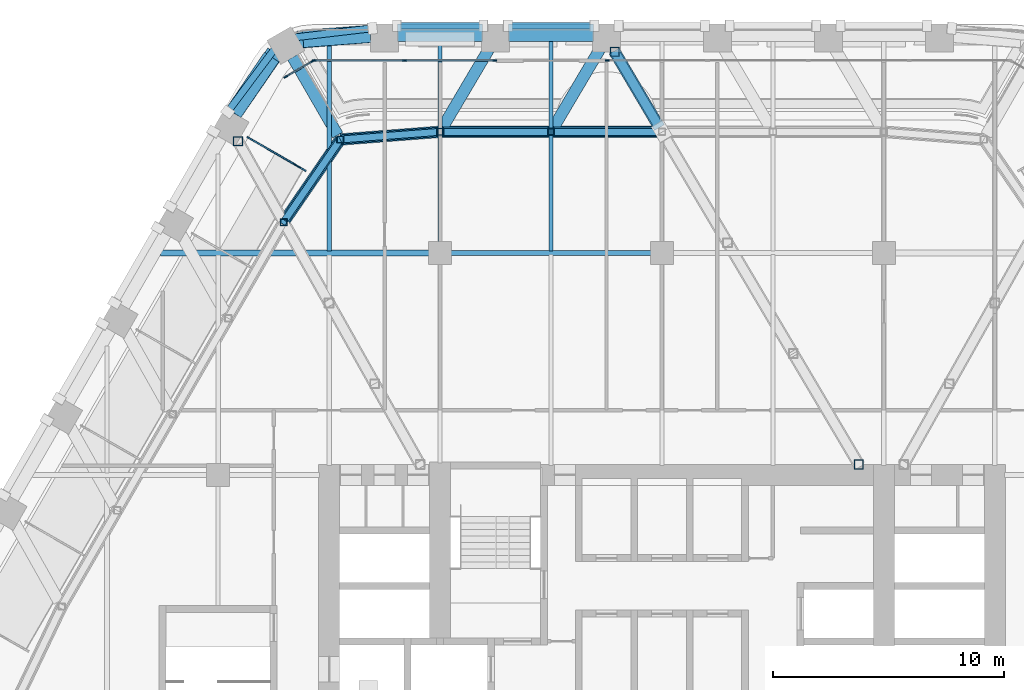
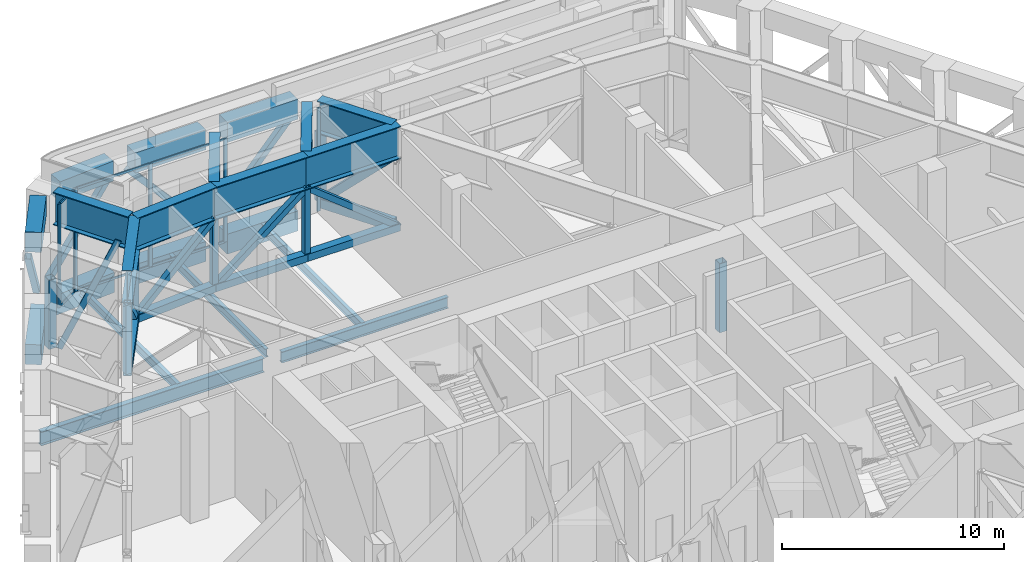
# One storey, part 9 of 27: 34 members, 21 beams, 4 elements without a shape of their own.
"""IFC4 building model written with IfcOpenShell, lengths in metres."""

from ifc_helpers import new_model, si_unit, direction, frame, origin, origin_2d, place, context, subcontext, project, spatial, rectangle, hollow_rectangle, i_section, extrude, material, material_profile, profile_set, type_object, element, aggregate, save


model = new_model("IFC4")

# Units and contexts
model_context = context("Model", 3, precision=1e-05, world=origin(), true_north=direction((0.0, 1.0)))
body_context = subcontext(model_context, "Body", "Model", "MODEL_VIEW")
ifc_project = project(units=[si_unit("LENGTHUNIT", "METRE"), si_unit("AREAUNIT", "SQUARE_METRE"), si_unit("VOLUMEUNIT", "CUBIC_METRE"), si_unit("PLANEANGLEUNIT", "RADIAN"), si_unit("MASSUNIT", "GRAM", prefix="KILO")], contexts=[model_context])

# Site, building, storey
site_placement = place(None, origin())
site = spatial("IfcSite", under=ifc_project, at=site_placement, CompositionType="ELEMENT")
building_placement = place(site_placement, origin())
building = spatial("IfcBuilding", under=site, at=building_placement, Name="Kolab Exchange Tower", CompositionType="ELEMENT")
storey_placement = place(building_placement, frame((0.0, 0.0, 127.39990234375)))
storey = spatial("IfcBuildingStorey", under=building, at=storey_placement, Name="L25", CompositionType="ELEMENT", Elevation=127.39990234375)

# Members
ifc_material_1 = material(Name="Steel S355", Category="steel")
ifc_material_profile_1 = material_profile(ifc_material_1, hollow_rectangle(XDim=0.300048828125, YDim=0.300048828125, WallThickness=0.01611328125, at=origin_2d()), Name="HSS300X300X16")
ifc_profile_set_1 = profile_set([ifc_material_profile_1], Name="Steel S355")
member_type_1 = type_object("IfcMemberType", Name="BELT TRUSS BRACE HSS300X300X16", PredefinedType="BRACE", material=ifc_profile_set_1)
member_1_placement = place(storey_placement, frame((-13.91796875, 24.106689453125, 0.25), z_axis=(0.749417906102, 0.058094082849, 0.659543690404), x_axis=(-0.077287073139, 0.997008880766, 0.0)))
element("IfcMember", 1, at=member_1_placement, inside=storey, type_object=member_type_1, Name="mem/L25/ring/d-F1-01", PredefinedType="BRACE", context=body_context, shape_type="SweptSolid", body=[
    extrude(hollow_rectangle(XDim=0.300048828125, YDim=0.300048828125, WallThickness=0.01611328125, at=origin_2d()), origin(), (0.0, 0.0, 1.0), 5.76171875),
])
for number, where, z_axis, x_axis, name in (
    (2, (-9.60009765625, 24.44140625, 0.25), (0.784045015832, 0.0, 0.620703965791), (0.0, 1.0, 0.0), "mem/L25/ring/d-F1-02"),
    (3, (-4.800048828125, 24.44140625, 4.050048828125), (0.784045015832, 0.0, -0.620703965791), (0.0, 1.0, 0.0), "mem/L25/ring/d-F1-03"),
):
    element("IfcMember", number, at=place(storey_placement, frame(where, z_axis=z_axis, x_axis=x_axis)), inside=storey, type_object=member_type_1, Name=name, PredefinedType="BRACE", context=body_context, shape_type="SweptSolid", body=[
        extrude(hollow_rectangle(XDim=0.300048828125, YDim=0.300048828125, WallThickness=0.01611328125, at=origin_2d()), origin(), (0.0, 0.0, 1.0), 6.1220703125),
    ])
member_2_placement = place(storey_placement, frame((-16.366943359375, 20.53466796875, 4.050048828125), z_axis=(0.425043766776, 0.619959660224, -0.659536061198), x_axis=(-0.824773170365, 0.565463718948, 0.0)))
element("IfcMember", 4, at=member_2_placement, inside=storey, type_object=member_type_1, Name="mem/L25/ring/d-F6-06", PredefinedType="BRACE", context=body_context, shape_type="SweptSolid", body=[
    extrude(hollow_rectangle(XDim=0.300048828125, YDim=0.300048828125, WallThickness=0.01611328125, at=origin_2d()), origin(), (0.0, 0.0, 1.0), 5.76171875),
])
member_3_placement = place(storey_placement, frame((-15.852294921875, 28.52783203125, 0.400146484375), z_axis=(0.618051289973, 0.072711916467, 0.782767896739), x_axis=(-0.116841247567, 0.993150604323, 0.0)))
element("IfcMember", 5, at=member_3_placement, inside=storey, type_object=member_type_1, Name="mem/L25/fb/F1-01", PredefinedType="BRACE", context=body_context, shape_type="SweptSolid", body=[
    extrude(hollow_rectangle(XDim=0.300048828125, YDim=0.300048828125, WallThickness=0.01611328125, at=origin_2d()), origin(), (0.0, 0.0, 1.0), 5.365478515625),
])
for number, where, z_axis, x_axis, name in (
    (6, (-11.462158203125, 29.026611328125, 4.60009765625), (0.663475226758, 0.0, -0.748198251453), (0.0, 1.0, 0.0), "mem/L25/fb/F1-02"),
    (7, (-6.662109375, 29.026611328125, 0.400146484375), (0.663475226758, 0.0, 0.748198251453), (0.0, 1.0, 0.0), "mem/L25/fb/F1-03"),
):
    element("IfcMember", number, at=place(storey_placement, frame(where, z_axis=z_axis, x_axis=x_axis)), inside=storey, type_object=member_type_1, Name=name, PredefinedType="BRACE", context=body_context, shape_type="SweptSolid", body=[
        extrude(hollow_rectangle(XDim=0.300048828125, YDim=0.300048828125, WallThickness=0.01611328125, at=origin_2d()), origin(), (0.0, 0.0, 1.0), 5.613525390625),
    ])
member_4_placement = place(storey_placement, frame((-18.775634765625, 25.3154296875, 4.60009765625), z_axis=(0.371973431828, 0.498922162691, -0.782759504311), x_axis=(-0.801707642151, 0.597716367951, 0.0)))
element("IfcMember", 8, at=member_4_placement, inside=storey, type_object=member_type_1, Name="mem/L25/fb/F6-07", PredefinedType="BRACE", context=body_context, shape_type="SweptSolid", body=[
    extrude(hollow_rectangle(XDim=0.300048828125, YDim=0.300048828125, WallThickness=0.01611328125, at=origin_2d()), origin(), (0.0, 0.0, 1.0), 5.365478515625),
])
ifc_material_profile_2 = material_profile(ifc_material_1, hollow_rectangle(XDim=0.39990234375, YDim=0.39990234375, WallThickness=0.02001953125, at=origin_2d()), Name="HSS400X400X20")
ifc_profile_set_2 = profile_set([ifc_material_profile_2], Name="Steel S355")
member_type_2 = type_object("IfcMemberType", Name="BELT TRUSS CHORD HSS400X400X20", PredefinedType="CHORD", material=ifc_profile_set_2)
member_5_placement = place(storey_placement, frame((-13.91796875, 24.106689453125, 0.25), z_axis=(0.997008880766, 0.077287073139, 0.0), x_axis=(-0.077287073139, 0.997008880766, 0.0)))
element("IfcMember", 9, at=member_5_placement, inside=storey, type_object=member_type_2, Name="mem/L25/ring/c-F1-01", PredefinedType="CHORD", context=body_context, shape_type="SweptSolid", body=[
    extrude(hollow_rectangle(XDim=0.39990234375, YDim=0.39990234375, WallThickness=0.02001953125, at=origin_2d()), origin(), (0.0, 0.0, 1.0), 4.330810546875),
])
for number, where, z_axis, x_axis, name in (
    (10, (-9.60009765625, 24.44140625, 0.25), (1.0, 0.0, 0.0), (0.0, 1.0, 0.0), "mem/L25/ring/c-F1-02"),
    (11, (-4.800048828125, 24.44140625, 0.25), (1.0, 0.0, 0.0), (0.0, 1.0, 0.0), "mem/L25/ring/c-F1-03"),
):
    element("IfcMember", number, at=place(storey_placement, frame(where, z_axis=z_axis, x_axis=x_axis)), inside=storey, type_object=member_type_2, Name=name, PredefinedType="CHORD", context=body_context, shape_type="SweptSolid", body=[
        extrude(hollow_rectangle(XDim=0.39990234375, YDim=0.39990234375, WallThickness=0.02001953125, at=origin_2d()), origin(), (0.0, 0.0, 1.0), 4.800048828125),
    ])
member_6_placement = place(storey_placement, frame((-16.366943359375, 20.53466796875, 0.25), z_axis=(0.565463718948, 0.824773170365, 0.0), x_axis=(-0.824773170365, 0.565463718948, 0.0)))
element("IfcMember", 12, at=member_6_placement, inside=storey, type_object=member_type_2, Name="mem/L25/ring/c-F6-06", PredefinedType="CHORD", context=body_context, shape_type="SweptSolid", body=[
    extrude(hollow_rectangle(XDim=0.39990234375, YDim=0.39990234375, WallThickness=0.02001953125, at=origin_2d()), origin(), (0.0, 0.0, 1.0), 4.330810546875),
])

# Beams
ifc_material_profile_3 = material_profile(ifc_material_1, i_section(OverallWidth=0.5, OverallDepth=1.800048828125, WebThickness=0.031982421875, FlangeThickness=0.050048828125, at=origin_2d()), Name="PG1800X500")
ifc_profile_set_3 = profile_set([ifc_material_profile_3], Name="Steel S355")
beam_type_1 = type_object("IfcBeamType", Name="BELT TRUSS GIRDER PG1800X500", PredefinedType="BEAM", material=ifc_profile_set_3)
beam_1_placement = place(storey_placement, frame((-13.91796875, 24.106689453125, 4.9501953125), z_axis=(0.997008880766, 0.077287073139, 0.0), x_axis=(-0.077287073139, 0.997008880766, 0.0)))
element("IfcBeam", 13, at=beam_1_placement, inside=storey, type_object=beam_type_1, Name="beam/L25/bg/F1-in", PredefinedType="BEAM", context=body_context, shape_type="SweptSolid", body=[
    extrude(i_section(OverallWidth=0.5, OverallDepth=1.800048828125, WebThickness=0.031982421875, FlangeThickness=0.050048828125, at=origin_2d()), origin(), (0.0, 0.0, 1.0), 4.330810546875),
])
for number, where, z_axis, x_axis, name in (
    (14, (-9.60009765625, 24.44140625, 4.9501953125), (1.0, 0.0, 0.0), (0.0, 1.0, 0.0), "beam/L25/bg/F1-run0"),
    (15, (-4.800048828125, 24.44140625, 4.9501953125), (1.0, 0.0, 0.0), (0.0, 1.0, 0.0), "beam/L25/bg/F1-run1"),
):
    element("IfcBeam", number, at=place(storey_placement, frame(where, z_axis=z_axis, x_axis=x_axis)), inside=storey, type_object=beam_type_1, Name=name, PredefinedType="BEAM", context=body_context, shape_type="SweptSolid", body=[
        extrude(i_section(OverallWidth=0.5, OverallDepth=1.800048828125, WebThickness=0.031982421875, FlangeThickness=0.050048828125, at=origin_2d()), origin(), (0.0, 0.0, 1.0), 4.800048828125),
    ])
beam_2_placement = place(storey_placement, frame((-16.366943359375, 20.53466796875, 4.9501953125), z_axis=(0.565463718948, 0.824773170365, 0.0), x_axis=(-0.824773170365, 0.565463718948, 0.0)))
element("IfcBeam", 16, at=beam_2_placement, inside=storey, type_object=beam_type_1, Name="beam/L25/bg/F6-out", PredefinedType="BEAM", context=body_context, shape_type="SweptSolid", body=[
    extrude(i_section(OverallWidth=0.5, OverallDepth=1.800048828125, WebThickness=0.031982421875, FlangeThickness=0.050048828125, at=origin_2d()), origin(), (0.0, 0.0, 1.0), 4.330810546875),
])

# Members
ifc_material_profile_4 = material_profile(ifc_material_1, hollow_rectangle(XDim=0.300048828125, YDim=0.300048828125, WallThickness=0.01611328125, at=origin_2d()), Name="HSS300X300X16")
ifc_profile_set_4 = profile_set([ifc_material_profile_4], Name="Steel S355")
member_type_3 = type_object("IfcMemberType", Name="BELT TRUSS POST HSS300X300X16", PredefinedType="POST", material=ifc_profile_set_4)
for number, where, z_axis, x_axis, name in (
    (17, (-13.91796875, 24.106689453125, 0.25), (0.0, 0.0, 1.0), (1.0, 0.0, 0.0), "mem/L25/ring/p-F1-01"),
    (18, (-9.60009765625, 24.44140625, 0.25), (0.0, 0.0, 1.0), (1.0, 0.0, 0.0), "mem/L25/ring/p-F1-02"),
    (19, (-4.800048828125, 24.44140625, 0.25), (0.0, 0.0, 1.0), (1.0, 0.0, 0.0), "mem/L25/ring/p-F1-03"),
    (20, (-16.366943359375, 20.53466796875, 0.25), (0.0, 0.0, 1.0), (1.0, 0.0, 0.0), "mem/L25/ring/p-F6-06"),
):
    element("IfcMember", number, at=place(storey_placement, frame(where, z_axis=z_axis, x_axis=x_axis)), inside=storey, type_object=member_type_3, Name=name, PredefinedType="POST", context=body_context, shape_type="SweptSolid", body=[
        extrude(hollow_rectangle(XDim=0.300048828125, YDim=0.300048828125, WallThickness=0.01611328125, at=origin_2d()), origin(), (0.0, 0.0, 1.0), 3.800048828125),
    ])

# Curtain wall, member
ifc_material_2 = material(Name="Aluminium EN AW-6063 T6", Category="aluminium")
curtain_wall_type_1 = type_object("IfcCurtainWallType", Name="CANTED BAND CURTAIN WALL", PredefinedType="NOTDEFINED", material=ifc_material_2)
curtain_wall_1_placement = place(storey_placement, origin())
curtain_wall_1 = element("IfcCurtainWall", 21, at=curtain_wall_1_placement, inside=storey, type_object=curtain_wall_type_1, Name="band/L25/F6", PredefinedType="NOTDEFINED")
ifc_material_profile_5 = material_profile(ifc_material_2, rectangle(XDim=0.06005859375, YDim=0.300048828125, at=origin_2d()), Name="RECT 60X300")
ifc_profile_set_5 = profile_set([ifc_material_profile_5], Name="Aluminium EN AW-6063 T6")
member_type_4 = type_object("IfcMemberType", Name="CANTED BAND MULLION 60 X 300", PredefinedType="MULLION", material=ifc_profile_set_5)
member_7_placement = place(storey_placement, frame((-17.831787109375, 24.151611328125, -0.099853515625), z_axis=(0.35583111981, -0.205457248307, 0.911686093616), x_axis=(0.500032956655, 0.866006375415, 0.0)))
member_7 = element("IfcMember", 22, at=member_7_placement, type_object=member_type_4, Name="Band mullion", PredefinedType="MULLION", context=body_context, shape_type="SweptSolid", body=[
    extrude(rectangle(XDim=0.06005859375, YDim=0.300048828125, at=origin_2d()), origin(), (0.0, 0.0, 1.0), 6.515380859375),
])
aggregate(curtain_wall_1, [member_7])

# Beams
ifc_material_profile_6 = material_profile(ifc_material_1, i_section(OverallWidth=0.18994140625, OverallDepth=0.45703125, WebThickness=0.009033203125, FlangeThickness=0.014404296875, at=origin_2d()), Name="W460X74")
ifc_profile_set_6 = profile_set([ifc_material_profile_6], Name="Steel S355")
beam_type_2 = type_object("IfcBeamType", Name="FLOOR BEAM W460X74", PredefinedType="BEAM", material=ifc_profile_set_6)
beam_3_placement = place(storey_placement, frame((-14.39990234375, 19.29345703125, -0.5283203125), z_axis=(0.0, 1.0, 0.0), x_axis=(-1.0, 0.0, 0.0)))
element("IfcBeam", 23, at=beam_3_placement, inside=storey, type_object=beam_type_2, Name="beam/L25/fr/015", PredefinedType="BEAM", context=body_context, shape_type="SweptSolid", body=[
    extrude(i_section(OverallWidth=0.18994140625, OverallDepth=0.45703125, WebThickness=0.009033203125, FlangeThickness=0.014404296875, at=origin_2d()), origin(), (0.0, 0.0, 1.0), 8.901123046875),
])
beam_4_placement = place(storey_placement, frame((-9.60009765625, 19.659912109375, -0.5283203125), z_axis=(0.0, 1.0, 0.0), x_axis=(-1.0, 0.0, 0.0)))
element("IfcBeam", 24, at=beam_4_placement, inside=storey, type_object=beam_type_2, Name="beam/L25/fr/019", PredefinedType="BEAM", context=body_context, shape_type="SweptSolid", body=[
    extrude(i_section(OverallWidth=0.18994140625, OverallDepth=0.45703125, WebThickness=0.009033203125, FlangeThickness=0.014404296875, at=origin_2d()), origin(), (0.0, 0.0, 1.0), 8.728515625),
])
beam_5_placement = place(storey_placement, frame((-4.800048828125, 19.27392578125, -0.5283203125), z_axis=(0.0, 1.0, 0.0), x_axis=(-1.0, 0.0, 0.0)))
element("IfcBeam", 25, at=beam_5_placement, inside=storey, type_object=beam_type_2, Name="beam/L25/fr/023", PredefinedType="BEAM", context=body_context, shape_type="SweptSolid", body=[
    extrude(i_section(OverallWidth=0.18994140625, OverallDepth=0.45703125, WebThickness=0.009033203125, FlangeThickness=0.014404296875, at=origin_2d()), origin(), (0.0, 0.0, 1.0), 9.114501953125),
])
ifc_material_profile_7 = material_profile(ifc_material_1, i_section(OverallWidth=0.22802734375, OverallDepth=0.60791015625, WebThickness=0.01123046875, FlangeThickness=0.017333984375, at=origin_2d()), Name="W610X113")
ifc_profile_set_7 = profile_set([ifc_material_profile_7], Name="Steel S355")
beam_type_3 = type_object("IfcBeamType", Name="FLOOR GIRDER W610X113", PredefinedType="BEAM", material=ifc_profile_set_7)
beam_6_placement = place(storey_placement, frame((-9.139892578125, 19.199951171875, -0.60400390625), z_axis=(1.0, 0.0, 0.0), x_axis=(0.0, 1.0, 0.0)))
element("IfcBeam", 26, at=beam_6_placement, inside=storey, type_object=beam_type_3, Name="beam/L25/gd/009", PredefinedType="BEAM", context=body_context, shape_type="SweptSolid", body=[
    extrude(i_section(OverallWidth=0.22802734375, OverallDepth=0.60791015625, WebThickness=0.01123046875, FlangeThickness=0.017333984375, at=origin_2d()), origin(), (0.0, 0.0, 1.0), 8.679931640625),
])
ifc_material_profile_8 = material_profile(ifc_material_1, i_section(OverallWidth=0.26708984375, OverallDepth=0.761962890625, WebThickness=0.014404296875, FlangeThickness=0.021484375, at=origin_2d()), Name="W760X173")
ifc_profile_set_8 = profile_set([ifc_material_profile_8], Name="Steel S355")
beam_type_4 = type_object("IfcBeamType", Name="FLOOR GIRDER W760X173", PredefinedType="BEAM", material=ifc_profile_set_8)
beam_7_placement = place(storey_placement, frame((-21.688720703125, 19.199951171875, -0.680908203125), z_axis=(1.0, 0.0, 0.0), x_axis=(0.0, 1.0, 0.0)))
element("IfcBeam", 27, at=beam_7_placement, inside=storey, type_object=beam_type_4, Name="beam/L25/gd/004", PredefinedType="BEAM", context=body_context, shape_type="SweptSolid", body=[
    extrude(i_section(OverallWidth=0.26708984375, OverallDepth=0.761962890625, WebThickness=0.014404296875, FlangeThickness=0.021484375, at=origin_2d()), origin(), (0.0, 0.0, 1.0), 11.628662109375),
])

# Members
ifc_material_profile_9 = material_profile(ifc_material_1, hollow_rectangle(XDim=0.39990234375, YDim=0.39990234375, WallThickness=0.02001953125, at=origin_2d()), Name="HSS400X400X20")
ifc_profile_set_9 = profile_set([ifc_material_profile_9], Name="Steel S355")
member_type_5 = type_object("IfcMemberType", Name="OUTRIGGER BRACE HSS400X400X20", PredefinedType="BRACE", material=ifc_profile_set_9)
member_8_placement = place(storey_placement, frame((-0.10693359375, 24.622314453125, 4.050048828125), z_axis=(-0.360355288287, 0.609095303379, -0.706503345785), x_axis=(-0.860656991988, -0.509185174707, 0.0)))
element("IfcMember", 28, at=member_8_placement, inside=storey, type_object=member_type_5, Name="mem/L25/out/00/d03", PredefinedType="BRACE", context=body_context, shape_type="SweptSolid", body=[
    extrude(hollow_rectangle(XDim=0.39990234375, YDim=0.39990234375, WallThickness=0.02001953125, at=origin_2d()), origin(), (0.0, 0.0, 1.0), 5.378662109375),
])
ifc_material_profile_10 = material_profile(ifc_material_1, hollow_rectangle(XDim=0.5, YDim=0.5, WallThickness=0.02490234375, at=origin_2d()), Name="HSS500X500X25")
ifc_profile_set_10 = profile_set([ifc_material_profile_10], Name="Steel S355")
member_type_6 = type_object("IfcMemberType", Name="OUTRIGGER CHORD HSS500X500X25", PredefinedType="CHORD", material=ifc_profile_set_10)
member_9_placement = place(storey_placement, frame((-0.10693359375, 24.622314453125, 0.25), z_axis=(-0.509185174707, 0.860656991988, 0.0), x_axis=(-0.860656991988, -0.509185174707, 0.0)))
element("IfcMember", 29, at=member_9_placement, inside=storey, type_object=member_type_6, Name="mem/L25/out/00/c03", PredefinedType="CHORD", context=body_context, shape_type="SweptSolid", body=[
    extrude(hollow_rectangle(XDim=0.5, YDim=0.5, WallThickness=0.02490234375, at=origin_2d()), origin(), (0.0, 0.0, 1.0), 3.806640625),
])

# Beam
ifc_material_profile_11 = material_profile(ifc_material_1, i_section(OverallWidth=0.5, OverallDepth=1.800048828125, WebThickness=0.031982421875, FlangeThickness=0.050048828125, at=origin_2d()), Name="PG1800X500")
ifc_profile_set_11 = profile_set([ifc_material_profile_11], Name="Steel S355")
beam_type_5 = type_object("IfcBeamType", Name="OUTRIGGER GIRDER PG1800X500", PredefinedType="BEAM", material=ifc_profile_set_11)
beam_8_placement = place(storey_placement, frame((-0.10693359375, 24.622314453125, 4.9501953125), z_axis=(-0.509165477252, 0.860668645168, 0.0), x_axis=(-0.860668645168, -0.509165477252, 0.0)))
element("IfcBeam", 30, at=beam_8_placement, inside=storey, type_object=beam_type_5, Name="beam/L25/og/00-03", PredefinedType="BEAM", context=body_context, shape_type="SweptSolid", body=[
    extrude(i_section(OverallWidth=0.5, OverallDepth=1.800048828125, WebThickness=0.031982421875, FlangeThickness=0.050048828125, at=origin_2d()), origin(), (0.0, 0.0, 1.0), 3.846435546875),
])

# Members
ifc_material_profile_12 = material_profile(ifc_material_1, hollow_rectangle(XDim=0.39990234375, YDim=0.39990234375, WallThickness=0.02001953125, at=origin_2d()), Name="HSS400X400X20")
ifc_profile_set_12 = profile_set([ifc_material_profile_12], Name="Steel S355")
member_type_7 = type_object("IfcMemberType", Name="OUTRIGGER POST HSS400X400X20", PredefinedType="POST", material=ifc_profile_set_12)
for number, where, z_axis, x_axis, name in (
    (31, (8.513916015625, 10.050048828125, 0.25), (0.0, 0.0, 1.0), (1.0, 0.0, 0.0), "mem/L25/out/00/p00"),
    (32, (-2.045166015625, 27.8984375, 0.25), (0.0, 0.0, 1.0), (1.0, 0.0, 0.0), "mem/L25/out/00/p04"),
    (33, (-18.338134765625, 24.0341796875, 0.25), (0.0, 0.0, 1.0), (1.0, 0.0, 0.0), "mem/L25/out/05/p04"),
):
    element("IfcMember", number, at=place(storey_placement, frame(where, z_axis=z_axis, x_axis=x_axis)), inside=storey, type_object=member_type_7, Name=name, PredefinedType="POST", context=body_context, shape_type="SweptSolid", body=[
        extrude(hollow_rectangle(XDim=0.39990234375, YDim=0.39990234375, WallThickness=0.02001953125, at=origin_2d()), origin(), (0.0, 0.0, 1.0), 3.800048828125),
    ])

# Beams
ifc_material_3 = material(Name="Concrete C70/85", Category="concrete")
ifc_material_profile_13 = material_profile(ifc_material_3, rectangle(XDim=0.75, YDim=1.10009765625, at=origin_2d()), Name="RC750X1100")
ifc_profile_set_13 = profile_set([ifc_material_profile_13], Name="Concrete C70/85")
beam_type_6 = type_object("IfcBeamType", Name="SPANDREL BEAM 750X1100 C70/85", PredefinedType="BEAM", material=ifc_profile_set_13)
beam_9_placement = place(storey_placement, frame((-15.75830078125, 28.421630859375, -0.849853515625), z_axis=(0.996791038408, 0.080047646748, 0.0), x_axis=(-0.080047646748, 0.996791038408, 0.0)))
element("IfcBeam", 34, at=beam_9_placement, inside=storey, type_object=beam_type_6, Name="beam/L25/sp/F1-01", PredefinedType="BEAM", context=body_context, shape_type="SweptSolid", body=[
    extrude(rectangle(XDim=0.75, YDim=1.10009765625, at=origin_2d()), origin(), (0.0, 0.0, 1.0), 3.20849609375),
])
for number, where, z_axis, x_axis, name in (
    (35, (-11.43994140625, 28.723388671875, -0.849853515625), (1.0, 0.0, 0.0), (0.0, 1.0, 0.0), "beam/L25/sp/F1-02"),
    (36, (-6.639892578125, 28.723388671875, -0.849853515625), (1.0, 0.0, 0.0), (0.0, 1.0, 0.0), "beam/L25/sp/F1-03"),
):
    element("IfcBeam", number, at=place(storey_placement, frame(where, z_axis=z_axis, x_axis=x_axis)), inside=storey, type_object=beam_type_6, Name=name, PredefinedType="BEAM", context=body_context, shape_type="SweptSolid", body=[
        extrude(rectangle(XDim=0.75, YDim=1.10009765625, at=origin_2d()), origin(), (0.0, 0.0, 1.0), 3.679931640625),
    ])
beam_10_placement = place(storey_placement, frame((-18.55615234375, 25.216552734375, -0.849853515625), z_axis=(0.567661826262, 0.823261836237, 0.0), x_axis=(-0.823261836237, 0.567661826262, 0.0)))
element("IfcBeam", 37, at=beam_10_placement, inside=storey, type_object=beam_type_6, Name="beam/L25/sp/F6-07", PredefinedType="BEAM", context=body_context, shape_type="SweptSolid", body=[
    extrude(rectangle(XDim=0.75, YDim=1.10009765625, at=origin_2d()), origin(), (0.0, 0.0, 1.0), 3.20849609375),
])
beam_11_placement = place(storey_placement, frame((-15.526123046875, 28.45849609375, 5.300048828125), z_axis=(0.997175372509, 0.075108431366, 0.0), x_axis=(-0.075108431366, 0.997175372509, 0.0)))
element("IfcBeam", 38, at=beam_11_placement, inside=storey, type_object=beam_type_6, Name="beam/L25/cp/F1-01", PredefinedType="BEAM", context=body_context, shape_type="SweptSolid", body=[
    extrude(rectangle(XDim=0.75, YDim=1.10009765625, at=origin_2d()), origin(), (0.0, 0.0, 1.0), 2.915771484375),
])
for number, where, z_axis, x_axis, name in (
    (39, (-11.43994140625, 28.723388671875, 5.300048828125), (1.0, 0.0, 0.0), (0.0, 1.0, 0.0), "beam/L25/cp/F1-02"),
    (40, (-6.639892578125, 28.723388671875, 5.300048828125), (1.0, 0.0, 0.0), (0.0, 1.0, 0.0), "beam/L25/cp/F1-03"),
):
    element("IfcBeam", number, at=place(storey_placement, frame(where, z_axis=z_axis, x_axis=x_axis)), inside=storey, type_object=beam_type_6, Name=name, PredefinedType="BEAM", context=body_context, shape_type="SweptSolid", body=[
        extrude(rectangle(XDim=0.75, YDim=1.10009765625, at=origin_2d()), origin(), (0.0, 0.0, 1.0), 3.679931640625),
    ])
beam_12_placement = place(storey_placement, frame((-18.526123046875, 25.266845703125, 5.300048828125), z_axis=(0.563671935422, 0.825998758606, 0.0), x_axis=(-0.825998758606, 0.563671935422, 0.0)))
element("IfcBeam", 41, at=beam_12_placement, inside=storey, type_object=beam_type_6, Name="beam/L25/cp/F6-07", PredefinedType="BEAM", context=body_context, shape_type="SweptSolid", body=[
    extrude(rectangle(XDim=0.75, YDim=1.10009765625, at=origin_2d()), origin(), (0.0, 0.0, 1.0), 2.915771484375),
])
ifc_material_profile_14 = material_profile(ifc_material_1, i_section(OverallWidth=0.5, OverallDepth=1.800048828125, WebThickness=0.031982421875, FlangeThickness=0.050048828125, at=origin_2d()), Name="PG1800X500")
ifc_profile_set_14 = profile_set([ifc_material_profile_14], Name="Steel S355")
beam_type_7 = type_object("IfcBeamType", Name="TRANSFER GIRDER PG1800X500", PredefinedType="BEAM", material=ifc_profile_set_14)
beam_13_placement = place(storey_placement, frame((-14.02783203125, 24.297119140625, 4.9501953125), z_axis=(-0.500006760876, 0.866021500355, 0.0), x_axis=(-0.866021500355, -0.500006760876, 0.0)))
element("IfcBeam", 42, at=beam_13_placement, inside=storey, type_object=beam_type_7, Name="beam/L25/tg/F1-01", PredefinedType="BEAM", context=body_context, shape_type="SweptSolid", body=[
    extrude(i_section(OverallWidth=0.5, OverallDepth=1.800048828125, WebThickness=0.031982421875, FlangeThickness=0.050048828125, at=origin_2d()), origin(), (0.0, 0.0, 1.0), 3.89013671875),
])
for number, where, z_axis, x_axis, name in (
    (43, (-9.47265625, 24.65673828125, 4.9501953125), (0.509142255304, 0.860682382685, 0.0), (-0.860682382685, 0.509142255304, 0.0), "beam/L25/tg/F1-02"),
    (44, (-4.672607421875, 24.65673828125, 4.9501953125), (0.509142255304, 0.860682382685, 0.0), (-0.860682382685, 0.509142255304, 0.0), "beam/L25/tg/F1-03"),
):
    element("IfcBeam", number, at=place(storey_placement, frame(where, z_axis=z_axis, x_axis=x_axis)), inside=storey, type_object=beam_type_7, Name=name, PredefinedType="BEAM", context=body_context, shape_type="SweptSolid", body=[
        extrude(i_section(OverallWidth=0.5, OverallDepth=1.800048828125, WebThickness=0.031982421875, FlangeThickness=0.050048828125, at=origin_2d()), origin(), (0.0, 0.0, 1.0), 3.883544921875),
    ])

# Curtain wall, members
curtain_wall_type_2 = type_object("IfcCurtainWallType", Name="UNITISED LOWER MID ZONE BELT CURTAIN WALL", PredefinedType="NOTDEFINED", material=ifc_material_2)
curtain_wall_2_placement = place(storey_placement, origin())
curtain_wall_2 = element("IfcCurtainWall", 45, at=curtain_wall_2_placement, inside=storey, type_object=curtain_wall_type_2, Name="cw/L25/F1-1", PredefinedType="NOTDEFINED")
ifc_material_profile_15 = material_profile(ifc_material_2, rectangle(XDim=0.06005859375, YDim=0.179931640625, at=origin_2d()), Name="RECT 60X180")
ifc_profile_set_15 = profile_set([ifc_material_profile_15], Name="Aluminium EN AW-6063 T6")
member_type_8 = type_object("IfcMemberType", Name="UNITISED LOWER MID ZONE BELT MULLION 60 X 180", PredefinedType="MULLION", material=ifc_profile_set_15)
member_10_placement = place(storey_placement, frame((-15.037841796875, 27.5185546875, 0.0), z_axis=(0.0, 0.0, 1.0), x_axis=(0.0, 1.0, 0.0)))
member_10 = element("IfcMember", 46, at=member_10_placement, type_object=member_type_8, Name="CW10 mullion 1", PredefinedType="MULLION", context=body_context, shape_type="SweptSolid", body=[
    extrude(rectangle(XDim=0.06005859375, YDim=0.179931640625, at=origin_2d()), origin(), (0.0, 0.0, 1.0), 5.7001953125),
])
member_11_placement = place(storey_placement, frame((-11.134033203125, 27.5185546875, 0.0), z_axis=(0.0, 0.0, 1.0), x_axis=(0.0, 1.0, 0.0)))
member_11 = element("IfcMember", 47, at=member_11_placement, type_object=member_type_8, Name="CW10 mullion 2", PredefinedType="MULLION", context=body_context, shape_type="SweptSolid", body=[
    extrude(rectangle(XDim=0.06005859375, YDim=0.179931640625, at=origin_2d()), origin(), (0.0, 0.0, 1.0), 5.7001953125),
])
member_12_placement = place(storey_placement, frame((-7.22998046875, 27.5185546875, 0.0), z_axis=(0.0, 0.0, 1.0), x_axis=(0.0, 1.0, 0.0)))
member_12 = element("IfcMember", 48, at=member_12_placement, type_object=member_type_8, Name="CW10 mullion 3", PredefinedType="MULLION", context=body_context, shape_type="SweptSolid", body=[
    extrude(rectangle(XDim=0.06005859375, YDim=0.179931640625, at=origin_2d()), origin(), (0.0, 0.0, 1.0), 5.7001953125),
])

# Curtain wall, member
curtain_wall_3_placement = place(storey_placement, origin())
curtain_wall_3 = element("IfcCurtainWall", 49, at=curtain_wall_3_placement, inside=storey, type_object=curtain_wall_type_2, Name="cw/L25/F1-2", PredefinedType="NOTDEFINED")
member_13_placement = place(storey_placement, frame((-2.3701171875, 27.5185546875, 0.0), z_axis=(0.0, 0.0, 1.0), x_axis=(0.0, 1.0, 0.0)))
member_13 = element("IfcMember", 50, at=member_13_placement, type_object=member_type_8, Name="CW10 mullion 1", PredefinedType="MULLION", context=body_context, shape_type="SweptSolid", body=[
    extrude(rectangle(XDim=0.06005859375, YDim=0.179931640625, at=origin_2d()), origin(), (0.0, 0.0, 1.0), 5.7001953125),
])
aggregate(curtain_wall_3, [member_13])

# Curtain wall, members
curtain_wall_4_placement = place(storey_placement, origin())
curtain_wall_4 = element("IfcCurtainWall", 51, at=curtain_wall_4_placement, inside=storey, type_object=curtain_wall_type_2, Name="cw/L25/F6F1-corner", PredefinedType="NOTDEFINED")
member_14_placement = place(storey_placement, frame((-16.271728515625, 26.823486328125, 0.0), z_axis=(0.0, 0.0, 1.0), x_axis=(-0.50000002237, 0.866025390869, 0.0)))
member_14 = element("IfcMember", 52, at=member_14_placement, type_object=member_type_8, Name="CW10 mullion 1", PredefinedType="MULLION", context=body_context, shape_type="SweptSolid", body=[
    extrude(rectangle(XDim=0.06005859375, YDim=0.179931640625, at=origin_2d()), origin(), (0.0, 0.0, 1.0), 5.7001953125),
])
member_15_placement = place(storey_placement, frame((-15.093994140625, 27.50341796875, 0.0), z_axis=(0.0, 0.0, 1.0), x_axis=(-0.50000002237, 0.866025390869, 0.0)))
member_15 = element("IfcMember", 53, at=member_15_placement, type_object=member_type_8, Name="CW10 mullion 2", PredefinedType="MULLION", context=body_context, shape_type="SweptSolid", body=[
    extrude(rectangle(XDim=0.06005859375, YDim=0.179931640625, at=origin_2d()), origin(), (0.0, 0.0, 1.0), 5.7001953125),
])

# Member
ifc_material_profile_16 = material_profile(ifc_material_2, rectangle(XDim=0.06005859375, YDim=0.1201171875, at=origin_2d()), Name="RECT 60X120")
ifc_profile_set_16 = profile_set([ifc_material_profile_16], Name="Aluminium EN AW-6063 T6")
member_type_9 = type_object("IfcMemberType", Name="UNITISED LOWER MID ZONE BELT TRANSOM 60 X 120", PredefinedType="USERDEFINED", material=ifc_profile_set_16)
member_16_placement = place(storey_placement, frame((-15.008056640625, 27.5185546875, 0.030029296875), z_axis=(1.0, 0.0, 0.0), x_axis=(0.0, 1.0, 0.0)))
member_16 = element("IfcMember", 54, at=member_16_placement, type_object=member_type_9, Name="CW10 transom 1.1", ObjectType="TRANSOM", PredefinedType="USERDEFINED", context=body_context, shape_type="SweptSolid", body=[
    extrude(rectangle(XDim=0.06005859375, YDim=0.1201171875, at=origin_2d()), origin(), (0.0, 0.0, 1.0), 3.843994140625),
])

member_17_placement = place(storey_placement, frame((-15.008056640625, 27.5185546875, 5.670166015625), z_axis=(1.0, 0.0, 0.0), x_axis=(0.0, 1.0, 0.0)))
member_17 = element("IfcMember", 55, at=member_17_placement, type_object=member_type_9, Name="CW10 transom 1.2", ObjectType="TRANSOM", PredefinedType="USERDEFINED", context=body_context, shape_type="SweptSolid", body=[
    extrude(rectangle(XDim=0.06005859375, YDim=0.1201171875, at=origin_2d()), origin(), (0.0, 0.0, 1.0), 3.843994140625),
])

member_18_placement = place(storey_placement, frame((-11.10400390625, 27.5185546875, 0.030029296875), z_axis=(1.0, 0.0, 0.0), x_axis=(0.0, 1.0, 0.0)))
member_18 = element("IfcMember", 56, at=member_18_placement, type_object=member_type_9, Name="CW10 transom 2.1", ObjectType="TRANSOM", PredefinedType="USERDEFINED", context=body_context, shape_type="SweptSolid", body=[
    extrude(rectangle(XDim=0.06005859375, YDim=0.1201171875, at=origin_2d()), origin(), (0.0, 0.0, 1.0), 3.843994140625),
])

member_19_placement = place(storey_placement, frame((-11.10400390625, 27.5185546875, 5.670166015625), z_axis=(1.0, 0.0, 0.0), x_axis=(0.0, 1.0, 0.0)))
member_19 = element("IfcMember", 57, at=member_19_placement, type_object=member_type_9, Name="CW10 transom 2.2", ObjectType="TRANSOM", PredefinedType="USERDEFINED", context=body_context, shape_type="SweptSolid", body=[
    extrude(rectangle(XDim=0.06005859375, YDim=0.1201171875, at=origin_2d()), origin(), (0.0, 0.0, 1.0), 3.843994140625),
])

aggregate(curtain_wall_2, [member_10, member_11, member_12, member_16, member_17, member_18, member_19])

member_20_placement = place(storey_placement, frame((-16.245849609375, 26.83837890625, 0.030029296875), z_axis=(0.866004217611, 0.500036693733, 0.0), x_axis=(-0.500036693733, 0.866004217611, 0.0)))
member_20 = element("IfcMember", 58, at=member_20_placement, type_object=member_type_9, Name="CW10 transom 1.1", ObjectType="TRANSOM", PredefinedType="USERDEFINED", context=body_context, shape_type="SweptSolid", body=[
    extrude(rectangle(XDim=0.06005859375, YDim=0.1201171875, at=origin_2d()), origin(), (0.0, 0.0, 1.0), 1.30029296875),
])

member_21_placement = place(storey_placement, frame((-16.245849609375, 26.83837890625, 5.670166015625), z_axis=(0.866004217611, 0.500036693733, 0.0), x_axis=(-0.500036693733, 0.866004217611, 0.0)))
member_21 = element("IfcMember", 59, at=member_21_placement, type_object=member_type_9, Name="CW10 transom 1.2", ObjectType="TRANSOM", PredefinedType="USERDEFINED", context=body_context, shape_type="SweptSolid", body=[
    extrude(rectangle(XDim=0.06005859375, YDim=0.1201171875, at=origin_2d()), origin(), (0.0, 0.0, 1.0), 1.30029296875),
])

aggregate(curtain_wall_4, [member_14, member_15, member_20, member_21])

save(model, "model.ifc")
